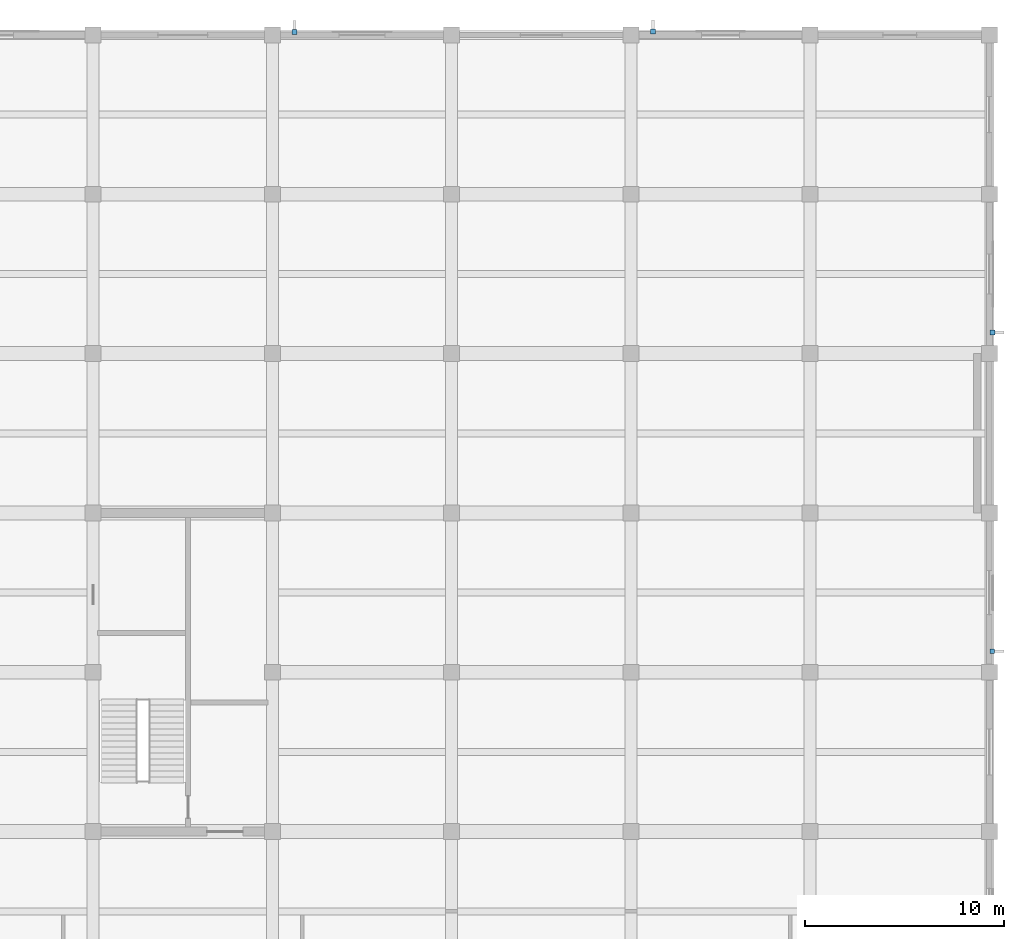
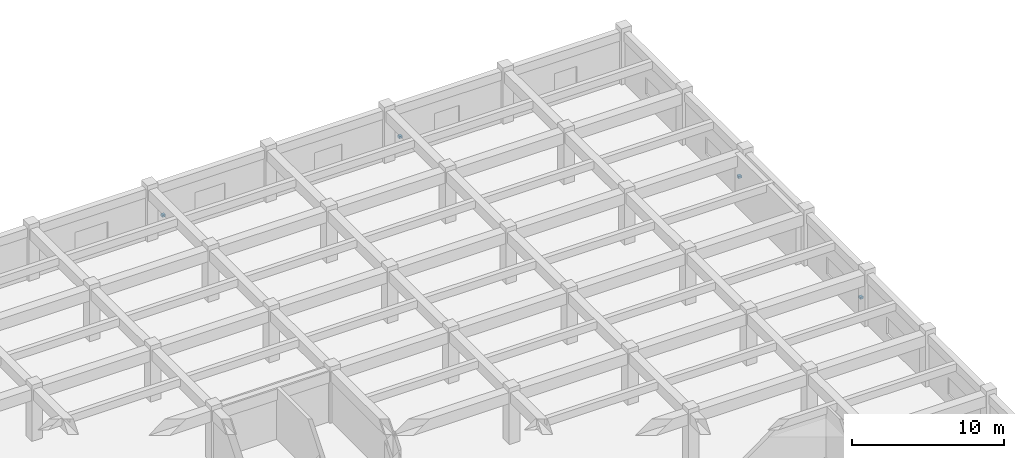
# One storey, part 41 of 50: 4 discrete accessories.
"""IFC4 building model written with IfcOpenShell, lengths in metres."""

from ifc_helpers import new_model, si_unit, direction, frame, origin, origin_2d, place, context, subcontext, project, spatial, rectangle, extrude, material, layer, layer_set, type_object, element, save


model = new_model("IFC4")

# Units and contexts
model_context = context("Model", 3, precision=1e-05, world=origin(), true_north=direction((0.0, 1.0)))
body_context = subcontext(model_context, "Body", "Model", "MODEL_VIEW")
ifc_project = project(units=[si_unit("LENGTHUNIT", "METRE"), si_unit("AREAUNIT", "SQUARE_METRE"), si_unit("VOLUMEUNIT", "CUBIC_METRE"), si_unit("PLANEANGLEUNIT", "RADIAN"), si_unit("MASSUNIT", "GRAM", prefix="KILO")], contexts=[model_context])

# Site, building, storey
site_placement = place(None, origin())
site = spatial("IfcSite", under=ifc_project, at=site_placement, CompositionType="ELEMENT")
building_placement = place(site_placement, origin())
building = spatial("IfcBuilding", under=site, at=building_placement, Name="Zaverband Oceanarium and Marine Research Institute", CompositionType="ELEMENT")
storey_placement = place(building_placement, frame((0.0, 0.0, 9.0)))
storey = spatial("IfcBuildingStorey", under=building, at=storey_placement, Name="L02", CompositionType="ELEMENT", Elevation=9.0)

# Discrete accessories
ifc_material = material(Name="Steel S355", Category="steel")
ifc_layer = layer(ifc_material, 0.179931640625, Name="Steel S355")
ifc_layer_set = layer_set([ifc_layer], Name="Steel S355")
discrete_accessory_type = type_object("IfcDiscreteAccessoryType", Name="BRK-STL-200", PredefinedType="BRACKET", material=ifc_layer_set)
for number, where, z_axis, x_axis, name in (
    (1, (145.10498046875, 120.14501953125, 1.22021484375), (0.0, 0.0, 1.0), (1.0, 0.0, 0.0), "Galvanized steel facade fin structural bracket BRK-STL-200"),
    (2, (163.10498046875, 120.169921875, 1.22021484375), (0.0, 0.0, 1.0), (1.0, 0.0, 0.0), "Galvanized steel facade fin structural bracket BRK-STL-200"),
    (3, (180.14501953125, 89.054931640625, 1.22021484375), (0.0, 0.0, 1.0), (1.0, 0.0, 0.0), "Galvanized steel facade fin structural bracket BRK-STL-200"),
    (4, (180.155029296875, 105.054931640625, 1.22021484375), (0.0, 0.0, 1.0), (1.0, 0.0, 0.0), "Galvanized steel facade fin structural bracket BRK-STL-200"),
):
    element("IfcDiscreteAccessory", number, at=place(storey_placement, frame(where, z_axis=z_axis, x_axis=x_axis)), inside=storey, type_object=discrete_accessory_type, Name=name, PredefinedType="BRACKET", context=body_context, shape_type="SweptSolid", body=[
        extrude(rectangle(XDim=0.239990234375, YDim=0.239990234375, at=origin_2d()), origin(), (0.0, 0.0, 1.0), 0.179931640625),
    ])

save(model, "model.ifc")
